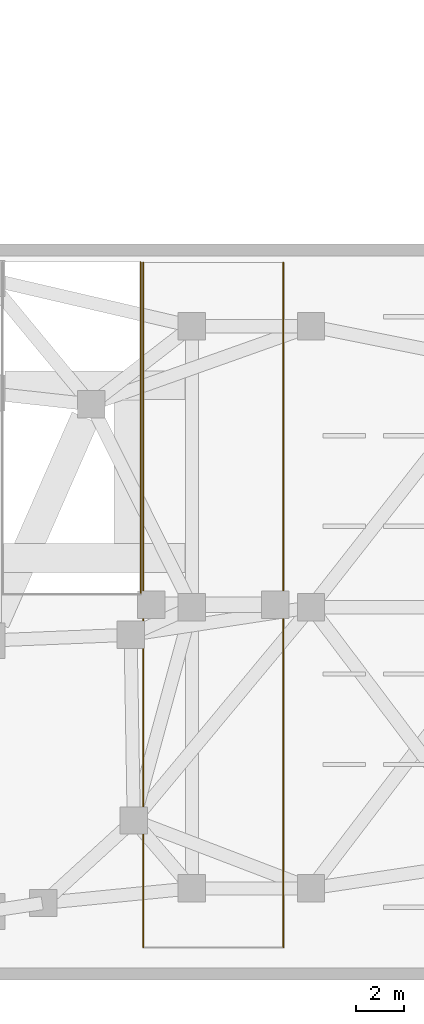
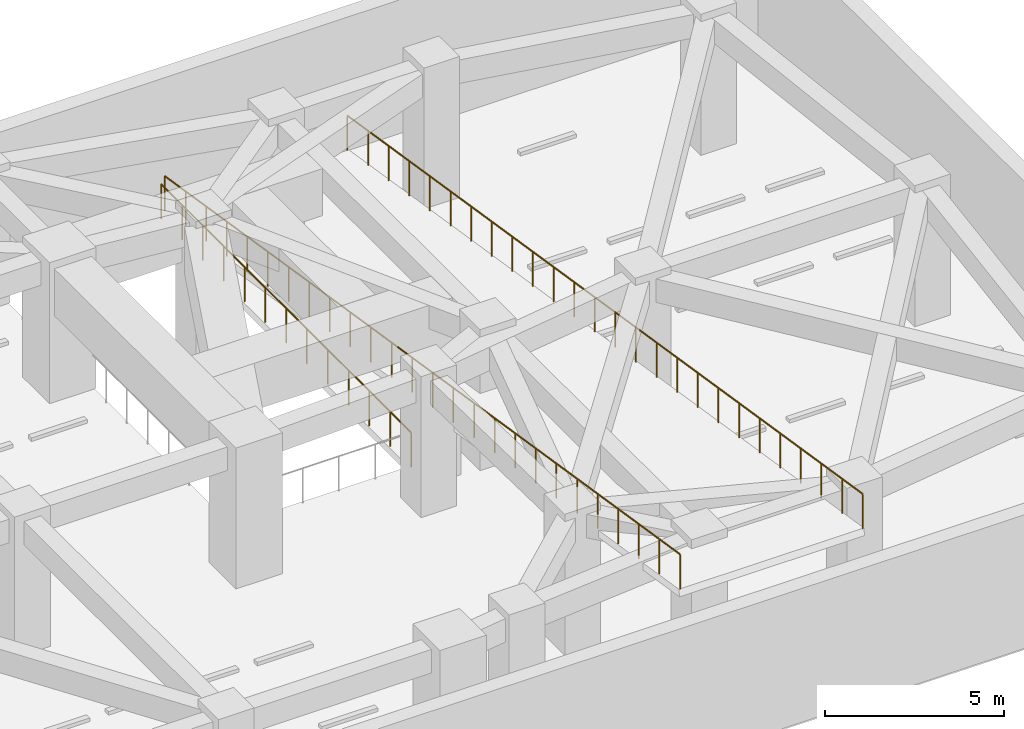
# One storey, part 11 of 11: 3 railings.
"""IFC4 building model written with IfcOpenShell, lengths in metres."""

from ifc_helpers import new_model, si_unit, direction, frame, origin, origin_2d, place, context, subcontext, project, spatial, circle, extrude, material, type_object, element, save


model = new_model("IFC4")

# Units and contexts
model_context = context("Model", 3, precision=1e-05, world=origin(), true_north=direction((0.0, 1.0)))
body_context = subcontext(model_context, "Body", "Model", "MODEL_VIEW")
ifc_project = project(units=[si_unit("LENGTHUNIT", "METRE"), si_unit("AREAUNIT", "SQUARE_METRE"), si_unit("VOLUMEUNIT", "CUBIC_METRE"), si_unit("PLANEANGLEUNIT", "RADIAN"), si_unit("MASSUNIT", "GRAM", prefix="KILO")], contexts=[model_context])

# Site, building, storey
site_placement = place(None, origin())
site = spatial("IfcSite", under=ifc_project, at=site_placement, CompositionType="ELEMENT")
building_placement = place(site_placement, origin())
building = spatial("IfcBuilding", under=site, at=building_placement, Name="Gaonmaruhae Medical Tower", CompositionType="ELEMENT")
storey_placement = place(building_placement, frame((0.0, 0.0, -4.800048828125)))
storey = spatial("IfcBuildingStorey", under=building, at=storey_placement, Name="B01", CompositionType="ELEMENT", Elevation=-4.800048828125)

# Railings
ifc_material = material(Name="Stainless steel 304 balustrade", Category="steel")
railing_type = type_object("IfcRailingType", Name="SG-112 Stair Well & Ramp Void Safety Balustrade", PredefinedType="BALUSTRADE", material=ifc_material)
railing_1_placement = place(storey_placement, frame((64.050048828125, 15.949951171875, 0.0)))
element("IfcRailing", 1, at=railing_1_placement, inside=storey, type_object=railing_type, Name="B01 Ramp Void Deck Guard 3", PredefinedType="BALUSTRADE", context=body_context, shape_type="SweptSolid", body=[
    extrude(circle(Radius=0.02392578125, at=origin_2d()), frame((0.0, 0.0, 1.17578125), z_axis=(0.0, 1.0, 0.0), x_axis=(-1.0, 0.0, 0.0)), (0.0, 0.0, 1.0), 13.929931640625),
    extrude(circle(Radius=0.02099609375, at=origin_2d()), origin(), (0.0, 0.0, 1.0), 1.15185546875),
    extrude(circle(Radius=0.02099609375, at=origin_2d()), frame((0.0, 1.160888671875, 0.0)), (0.0, 0.0, 1.0), 1.15185546875),
    extrude(circle(Radius=0.02099609375, at=origin_2d()), frame((0.0, 2.32177734375, 0.0)), (0.0, 0.0, 1.0), 1.15185546875),
    extrude(circle(Radius=0.02099609375, at=origin_2d()), frame((0.0, 3.482421875, 0.0)), (0.0, 0.0, 1.0), 1.15185546875),
    extrude(circle(Radius=0.02099609375, at=origin_2d()), frame((0.0, 4.643310546875, 0.0)), (0.0, 0.0, 1.0), 1.15185546875),
    extrude(circle(Radius=0.02099609375, at=origin_2d()), frame((0.0, 5.80419921875, 0.0)), (0.0, 0.0, 1.0), 1.15185546875),
    extrude(circle(Radius=0.02099609375, at=origin_2d()), frame((0.0, 6.96484375, 0.0)), (0.0, 0.0, 1.0), 1.15185546875),
    extrude(circle(Radius=0.02099609375, at=origin_2d()), frame((0.0, 8.125732421875, 0.0)), (0.0, 0.0, 1.0), 1.15185546875),
    extrude(circle(Radius=0.02099609375, at=origin_2d()), frame((0.0, 9.28662109375, 0.0)), (0.0, 0.0, 1.0), 1.15185546875),
    extrude(circle(Radius=0.02099609375, at=origin_2d()), frame((0.0, 10.447509765625, 0.0)), (0.0, 0.0, 1.0), 1.15185546875),
    extrude(circle(Radius=0.02099609375, at=origin_2d()), frame((0.0, 11.6083984375, 0.0)), (0.0, 0.0, 1.0), 1.15185546875),
    extrude(circle(Radius=0.02099609375, at=origin_2d()), frame((0.0, 12.76904296875, 0.0)), (0.0, 0.0, 1.0), 1.15185546875),
    extrude(circle(Radius=0.02099609375, at=origin_2d()), frame((0.0, 13.929931640625, 0.0)), (0.0, 0.0, 1.0), 1.15185546875),
])
railing_2_placement = place(storey_placement, frame((64.159912109375, 29.8701171875, 0.2451171875)))
element("IfcRailing", 2, at=railing_2_placement, inside=storey, type_object=railing_type, Name="B01 Vehicle Ramp VR2 West Safety Guard", PredefinedType="BALUSTRADE", context=body_context, shape_type="SweptSolid", body=[
    extrude(circle(Radius=0.02392578125, at=origin_2d()), frame((0.0, 0.0, 1.17578125), z_axis=(0.0, -0.98769873047, 0.15636885185), x_axis=(1.0, 0.0, 0.0)), (0.0, 0.0, 1.0), 29.09814453125),
    extrude(circle(Radius=0.02099609375, at=origin_2d()), origin(), (0.0, 0.0, 1.0), 1.15185546875),
    extrude(circle(Radius=0.02099609375, at=origin_2d()), frame((0.0, -1.149658203125, 0.181884765625)), (0.0, 0.0, 1.0), 1.15185546875),
    extrude(circle(Radius=0.02099609375, at=origin_2d()), frame((0.0, -2.29931640625, 0.364013671875)), (0.0, 0.0, 1.0), 1.15185546875),
    extrude(circle(Radius=0.02099609375, at=origin_2d()), frame((0.0, -3.44873046875, 0.5458984375)), (0.0, 0.0, 1.0), 1.15185546875),
    extrude(circle(Radius=0.02099609375, at=origin_2d()), frame((0.0, -4.598388671875, 0.72802734375)), (0.0, 0.0, 1.0), 1.15185546875),
    extrude(circle(Radius=0.02099609375, at=origin_2d()), frame((0.0, -5.748046875, 0.909912109375)), (0.0, 0.0, 1.0), 1.15185546875),
    extrude(circle(Radius=0.02099609375, at=origin_2d()), frame((0.0, -6.897705078125, 1.092041015625)), (0.0, 0.0, 1.0), 1.15185546875),
    extrude(circle(Radius=0.02099609375, at=origin_2d()), frame((0.0, -8.04736328125, 1.27392578125)), (0.0, 0.0, 1.0), 1.15185546875),
    extrude(circle(Radius=0.02099609375, at=origin_2d()), frame((0.0, -9.19677734375, 1.4560546875)), (0.0, 0.0, 1.0), 1.15185546875),
    extrude(circle(Radius=0.02099609375, at=origin_2d()), frame((0.0, -10.346435546875, 1.637939453125)), (0.0, 0.0, 1.0), 1.15185546875),
    extrude(circle(Radius=0.02099609375, at=origin_2d()), frame((0.0, -11.49609375, 1.820068359375)), (0.0, 0.0, 1.0), 1.15185546875),
    extrude(circle(Radius=0.02099609375, at=origin_2d()), frame((0.0, -12.645751953125, 2.001953125)), (0.0, 0.0, 1.0), 1.15185546875),
    extrude(circle(Radius=0.02099609375, at=origin_2d()), frame((0.0, -13.79541015625, 2.18408203125)), (0.0, 0.0, 1.0), 1.15185546875),
    extrude(circle(Radius=0.02099609375, at=origin_2d()), frame((0.0, -14.94482421875, 2.365966796875)), (0.0, 0.0, 1.0), 1.15185546875),
    extrude(circle(Radius=0.02099609375, at=origin_2d()), frame((0.0, -16.094482421875, 2.548095703125)), (0.0, 0.0, 1.0), 1.15185546875),
    extrude(circle(Radius=0.02099609375, at=origin_2d()), frame((0.0, -17.244140625, 2.72998046875)), (0.0, 0.0, 1.0), 1.15185546875),
    extrude(circle(Radius=0.02099609375, at=origin_2d()), frame((0.0, -18.393798828125, 2.912109375)), (0.0, 0.0, 1.0), 1.15185546875),
    extrude(circle(Radius=0.02099609375, at=origin_2d()), frame((0.0, -19.54345703125, 3.093994140625)), (0.0, 0.0, 1.0), 1.15185546875),
    extrude(circle(Radius=0.02099609375, at=origin_2d()), frame((0.0, -20.69287109375, 3.276123046875)), (0.0, 0.0, 1.0), 1.15185546875),
    extrude(circle(Radius=0.02099609375, at=origin_2d()), frame((0.0, -21.842529296875, 3.4580078125)), (0.0, 0.0, 1.0), 1.15185546875),
    extrude(circle(Radius=0.02099609375, at=origin_2d()), frame((0.0, -22.9921875, 3.64013671875)), (0.0, 0.0, 1.0), 1.15185546875),
    extrude(circle(Radius=0.02099609375, at=origin_2d()), frame((0.0, -24.141845703125, 3.822021484375)), (0.0, 0.0, 1.0), 1.15185546875),
    extrude(circle(Radius=0.02099609375, at=origin_2d()), frame((0.0, -25.29150390625, 4.004150390625)), (0.0, 0.0, 1.0), 1.15185546875),
    extrude(circle(Radius=0.02099609375, at=origin_2d()), frame((0.0, -26.44091796875, 4.18603515625)), (0.0, 0.0, 1.0), 1.15185546875),
    extrude(circle(Radius=0.02099609375, at=origin_2d()), frame((0.0, -27.590576171875, 4.3681640625)), (0.0, 0.0, 1.0), 1.15185546875),
    extrude(circle(Radius=0.02099609375, at=origin_2d()), frame((0.0, -28.740234375, 4.550048828125)), (0.0, 0.0, 1.0), 1.15185546875),
])
railing_3_placement = place(storey_placement, frame((70.0400390625, 29.8701171875, 0.2451171875)))
element("IfcRailing", 3, at=railing_3_placement, inside=storey, type_object=railing_type, Name="B01 Vehicle Ramp VR2 East Safety Guard", PredefinedType="BALUSTRADE", context=body_context, shape_type="SweptSolid", body=[
    extrude(circle(Radius=0.02392578125, at=origin_2d()), frame((0.0, 0.0, 1.17578125), z_axis=(0.0, -0.98769873047, 0.15636885185), x_axis=(1.0, 0.0, 0.0)), (0.0, 0.0, 1.0), 29.09814453125),
    extrude(circle(Radius=0.02099609375, at=origin_2d()), origin(), (0.0, 0.0, 1.0), 1.15185546875),
    extrude(circle(Radius=0.02099609375, at=origin_2d()), frame((0.0, -1.149658203125, 0.181884765625)), (0.0, 0.0, 1.0), 1.15185546875),
    extrude(circle(Radius=0.02099609375, at=origin_2d()), frame((0.0, -2.29931640625, 0.364013671875)), (0.0, 0.0, 1.0), 1.15185546875),
    extrude(circle(Radius=0.02099609375, at=origin_2d()), frame((0.0, -3.44873046875, 0.5458984375)), (0.0, 0.0, 1.0), 1.15185546875),
    extrude(circle(Radius=0.02099609375, at=origin_2d()), frame((0.0, -4.598388671875, 0.72802734375)), (0.0, 0.0, 1.0), 1.15185546875),
    extrude(circle(Radius=0.02099609375, at=origin_2d()), frame((0.0, -5.748046875, 0.909912109375)), (0.0, 0.0, 1.0), 1.15185546875),
    extrude(circle(Radius=0.02099609375, at=origin_2d()), frame((0.0, -6.897705078125, 1.092041015625)), (0.0, 0.0, 1.0), 1.15185546875),
    extrude(circle(Radius=0.02099609375, at=origin_2d()), frame((0.0, -8.04736328125, 1.27392578125)), (0.0, 0.0, 1.0), 1.15185546875),
    extrude(circle(Radius=0.02099609375, at=origin_2d()), frame((0.0, -9.19677734375, 1.4560546875)), (0.0, 0.0, 1.0), 1.15185546875),
    extrude(circle(Radius=0.02099609375, at=origin_2d()), frame((0.0, -10.346435546875, 1.637939453125)), (0.0, 0.0, 1.0), 1.15185546875),
    extrude(circle(Radius=0.02099609375, at=origin_2d()), frame((0.0, -11.49609375, 1.820068359375)), (0.0, 0.0, 1.0), 1.15185546875),
    extrude(circle(Radius=0.02099609375, at=origin_2d()), frame((0.0, -12.645751953125, 2.001953125)), (0.0, 0.0, 1.0), 1.15185546875),
    extrude(circle(Radius=0.02099609375, at=origin_2d()), frame((0.0, -13.79541015625, 2.18408203125)), (0.0, 0.0, 1.0), 1.15185546875),
    extrude(circle(Radius=0.02099609375, at=origin_2d()), frame((0.0, -14.94482421875, 2.365966796875)), (0.0, 0.0, 1.0), 1.15185546875),
    extrude(circle(Radius=0.02099609375, at=origin_2d()), frame((0.0, -16.094482421875, 2.548095703125)), (0.0, 0.0, 1.0), 1.15185546875),
    extrude(circle(Radius=0.02099609375, at=origin_2d()), frame((0.0, -17.244140625, 2.72998046875)), (0.0, 0.0, 1.0), 1.15185546875),
    extrude(circle(Radius=0.02099609375, at=origin_2d()), frame((0.0, -18.393798828125, 2.912109375)), (0.0, 0.0, 1.0), 1.15185546875),
    extrude(circle(Radius=0.02099609375, at=origin_2d()), frame((0.0, -19.54345703125, 3.093994140625)), (0.0, 0.0, 1.0), 1.15185546875),
    extrude(circle(Radius=0.02099609375, at=origin_2d()), frame((0.0, -20.69287109375, 3.276123046875)), (0.0, 0.0, 1.0), 1.15185546875),
    extrude(circle(Radius=0.02099609375, at=origin_2d()), frame((0.0, -21.842529296875, 3.4580078125)), (0.0, 0.0, 1.0), 1.15185546875),
    extrude(circle(Radius=0.02099609375, at=origin_2d()), frame((0.0, -22.9921875, 3.64013671875)), (0.0, 0.0, 1.0), 1.15185546875),
    extrude(circle(Radius=0.02099609375, at=origin_2d()), frame((0.0, -24.141845703125, 3.822021484375)), (0.0, 0.0, 1.0), 1.15185546875),
    extrude(circle(Radius=0.02099609375, at=origin_2d()), frame((0.0, -25.29150390625, 4.004150390625)), (0.0, 0.0, 1.0), 1.15185546875),
    extrude(circle(Radius=0.02099609375, at=origin_2d()), frame((0.0, -26.44091796875, 4.18603515625)), (0.0, 0.0, 1.0), 1.15185546875),
    extrude(circle(Radius=0.02099609375, at=origin_2d()), frame((0.0, -27.590576171875, 4.3681640625)), (0.0, 0.0, 1.0), 1.15185546875),
    extrude(circle(Radius=0.02099609375, at=origin_2d()), frame((0.0, -28.740234375, 4.550048828125)), (0.0, 0.0, 1.0), 1.15185546875),
])

save(model, "model.ifc")
